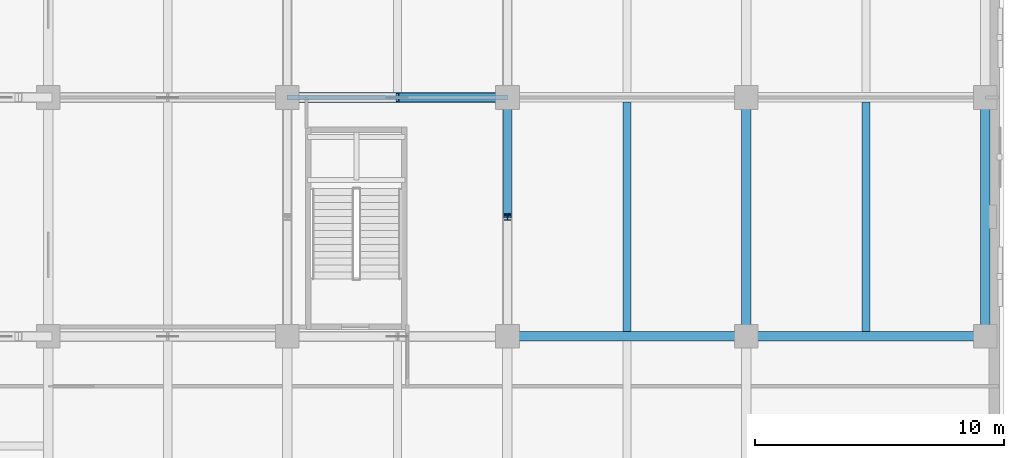
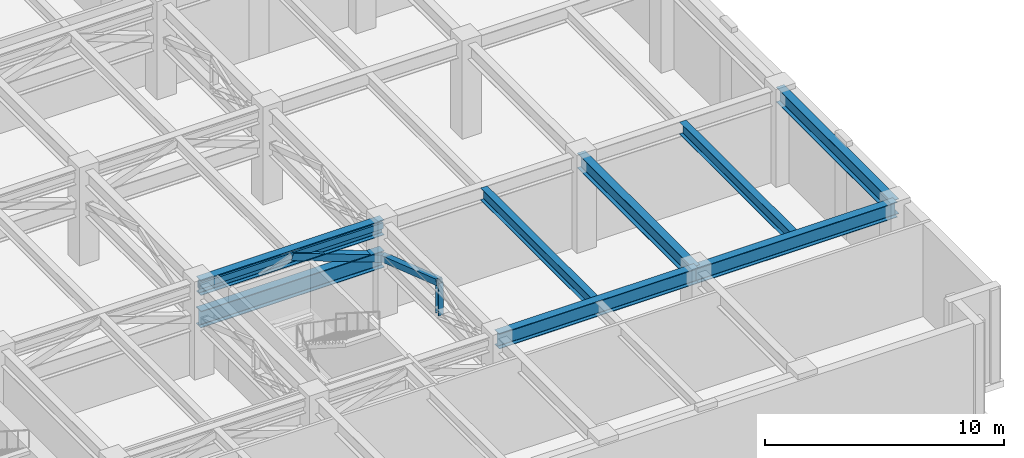
# One storey, part 4 of 21: 8 beams, 4 members.
"""IFC4 building model written with IfcOpenShell, lengths in metres."""

from ifc_helpers import new_model, si_unit, direction, frame, origin, origin_2d, place, context, subcontext, project, spatial, hollow_rectangle, i_section, extrude, material, material_profile, profile_set, type_object, element, save


model = new_model("IFC4")

# Units and contexts
model_context = context("Model", 3, precision=1e-05, world=origin(), true_north=direction((0.0, 1.0)))
body_context = subcontext(model_context, "Body", "Model", "MODEL_VIEW")
ifc_project = project(units=[si_unit("LENGTHUNIT", "METRE"), si_unit("AREAUNIT", "SQUARE_METRE"), si_unit("VOLUMEUNIT", "CUBIC_METRE"), si_unit("PLANEANGLEUNIT", "RADIAN"), si_unit("MASSUNIT", "GRAM", prefix="KILO")], contexts=[model_context])

# Site, building, storey
site_placement = place(None, origin())
site = spatial("IfcSite", under=ifc_project, at=site_placement, CompositionType="ELEMENT")
building_placement = place(site_placement, origin())
building = spatial("IfcBuilding", under=site, at=building_placement, Name="Norrvale University Quadrangle", CompositionType="ELEMENT")
storey_placement = place(building_placement, frame((0.0, 0.0, 194.0)))
storey = spatial("IfcBuildingStorey", under=building, at=storey_placement, Name="L49", CompositionType="ELEMENT", Elevation=194.0)

# Beams
ifc_material = material(Name="Steel 350W", Category="steel")
ifc_material_profile_1 = material_profile(ifc_material, i_section(OverallWidth=0.324951171875, OverallDepth=0.615966796875, WebThickness=0.013916015625, FlangeThickness=0.021484375, FilletRadius=0.01611328125, at=origin_2d()), Name="Steel 350W")
ifc_profile_set_1 = profile_set([ifc_material_profile_1], Name="Steel 350W")
beam_type_1 = type_object("IfcBeamType", Name="Beam Belt W610x174", PredefinedType="BEAM", material=ifc_profile_set_1)
for number, where, z_axis, x_axis, name in (
    (1, (42.449951171875, 9.79052734375, 4.431884765625), (0.0, 1.0, 0.0), (-1.0, 0.0, 0.0), "Beam Belt W610x174 BM-L49-J082"),
    (2, (52.050048828125, 9.79052734375, 4.431884765625), (0.0, 1.0, 0.0), (-1.0, 0.0, 0.0), "Beam Belt W610x174 BM-L49-J085"),
):
    element("IfcBeam", number, at=place(storey_placement, frame(where, z_axis=z_axis, x_axis=x_axis)), inside=storey, type_object=beam_type_1, Name=name, PredefinedType="BEAM", context=body_context, shape_type="SweptSolid", body=[
        extrude(i_section(OverallWidth=0.324951171875, OverallDepth=0.615966796875, WebThickness=0.013916015625, FlangeThickness=0.021484375, FilletRadius=0.01611328125, at=origin_2d()), origin(), (0.0, 0.0, 1.0), 9.218994140625),
    ])
ifc_material_profile_2 = material_profile(ifc_material, i_section(OverallWidth=0.381103515625, OverallDepth=0.77294921875, WebThickness=0.0166015625, FlangeThickness=0.027587890625, FilletRadius=0.02001953125, at=origin_2d()), Name="Steel 350W")
ifc_profile_set_2 = profile_set([ifc_material_profile_2], Name="Steel 350W")
beam_type_2 = type_object("IfcBeamType", Name="Beam Outrig W760x257", PredefinedType="BEAM", material=ifc_profile_set_2)
for number, where, z_axis, x_axis, name in (
    (3, (37.64990234375, 9.60009765625, 4.353515625), (1.0, 0.0, 0.0), (0.0, 1.0, 0.0), "Beam Outrig W760x257 BM-L49-GX007"),
    (4, (47.25, 9.60009765625, 4.353515625), (1.0, 0.0, 0.0), (0.0, 1.0, 0.0), "Beam Outrig W760x257 BM-L49-GX008"),
):
    element("IfcBeam", number, at=place(storey_placement, frame(where, z_axis=z_axis, x_axis=x_axis)), inside=storey, type_object=beam_type_2, Name=name, PredefinedType="BEAM", context=body_context, shape_type="SweptSolid", body=[
        extrude(i_section(OverallWidth=0.381103515625, OverallDepth=0.77294921875, WebThickness=0.0166015625, FlangeThickness=0.027587890625, FilletRadius=0.02001953125, at=origin_2d()), origin(), (0.0, 0.0, 1.0), 9.60009765625),
    ])
beam_1_placement = place(storey_placement, frame((28.800048828125, 19.199951171875, 4.353515625), z_axis=(1.0, 0.0, 0.0), x_axis=(0.0, 1.0, 0.0)))
element("IfcBeam", 5, at=beam_1_placement, inside=storey, type_object=beam_type_2, Name="Beam Outrig W760x257 BM-L49-GX010", PredefinedType="BEAM", context=body_context, shape_type="SweptSolid", body=[
    extrude(i_section(OverallWidth=0.381103515625, OverallDepth=0.77294921875, WebThickness=0.0166015625, FlangeThickness=0.027587890625, FilletRadius=0.02001953125, at=origin_2d()), origin(), (0.0, 0.0, 1.0), 8.849853515625),
])
for number, where, z_axis, x_axis, name in (
    (6, (47.25, 9.60009765625, 4.353515625), (0.0, 1.0, 0.0), (-1.0, 0.0, 0.0), "Beam Outrig W760x257 BM-L49-GY053"),
    (7, (56.85009765625, 9.60009765625, 4.353515625), (0.0, 1.0, 0.0), (-1.0, 0.0, 0.0), "Beam Outrig W760x257 BM-L49-GY056"),
):
    element("IfcBeam", number, at=place(storey_placement, frame(where, z_axis=z_axis, x_axis=x_axis)), inside=storey, type_object=beam_type_2, Name=name, PredefinedType="BEAM", context=body_context, shape_type="SweptSolid", body=[
        extrude(i_section(OverallWidth=0.381103515625, OverallDepth=0.77294921875, WebThickness=0.0166015625, FlangeThickness=0.027587890625, FilletRadius=0.02001953125, at=origin_2d()), origin(), (0.0, 0.0, 1.0), 9.599853515625),
    ])
ifc_material_profile_3 = material_profile(ifc_material, i_section(OverallWidth=0.39990234375, OverallDepth=0.85498046875, WebThickness=0.018310546875, FlangeThickness=0.029296875, FilletRadius=0.02197265625, at=origin_2d()), Name="Steel 350W")
ifc_profile_set_3 = profile_set([ifc_material_profile_3], Name="Steel 350W")
beam_type_3 = type_object("IfcBeamType", Name="Beam Outrig W840x299", PredefinedType="BEAM", material=ifc_profile_set_3)
beam_2_placement = place(storey_placement, frame((28.800048828125, 19.199951171875, 2.75), z_axis=(1.0, 0.0, 0.0), x_axis=(0.0, 1.0, 0.0)))
element("IfcBeam", 8, at=beam_2_placement, inside=storey, type_object=beam_type_3, Name="Outrigger Bottom Chord L49-2.3", PredefinedType="BEAM", context=body_context, shape_type="SweptSolid", body=[
    extrude(i_section(OverallWidth=0.39990234375, OverallDepth=0.85498046875, WebThickness=0.018310546875, FlangeThickness=0.029296875, FilletRadius=0.02197265625, at=origin_2d()), origin(), (0.0, 0.0, 1.0), 8.849853515625),
])

# Members
ifc_material_profile_4 = material_profile(ifc_material, hollow_rectangle(XDim=0.304931640625, YDim=0.304931640625, WallThickness=0.012939453125, at=origin_2d()), Name="Steel 350W")
ifc_profile_set_4 = profile_set([ifc_material_profile_4], Name="Steel 350W")
member_type_1 = type_object("IfcMemberType", Name="Member Belt Diag HSS305", PredefinedType="BRACE", material=ifc_profile_set_4)
member_1_placement = place(storey_placement, frame((37.64990234375, 19.199951171875, 2.75), z_axis=(0.0, -0.946298508087, 0.32329419047), x_axis=(1.0, 0.0, 0.0)))
element("IfcMember", 9, at=member_1_placement, inside=storey, type_object=member_type_1, Name="Belt Truss Brace L49-01B", PredefinedType="BRACE", context=body_context, shape_type="SweptSolid", body=[
    extrude(hollow_rectangle(XDim=0.304931640625, YDim=0.304931640625, WallThickness=0.012939453125, at=origin_2d()), origin(), (0.0, 0.0, 1.0), 5.072509765625),
])
ifc_material_profile_5 = material_profile(ifc_material, hollow_rectangle(XDim=0.202880859375, YDim=0.304931640625, WallThickness=0.012939453125, at=origin_2d()), Name="Steel 350W")
ifc_profile_set_5 = profile_set([ifc_material_profile_5], Name="Steel 350W")
member_type_2 = type_object("IfcMemberType", Name="Member Chord HSS305x203", PredefinedType="CHORD", material=ifc_profile_set_5)
member_2_placement = place(storey_placement, frame((28.800048828125, 19.199951171875, 4.389892578125), z_axis=(1.0, 0.0, 0.0), x_axis=(0.0, 1.0, 0.0)))
element("IfcMember", 10, at=member_2_placement, inside=storey, type_object=member_type_2, Name="Outrigger Top Chord L49-2.3", PredefinedType="CHORD", context=body_context, shape_type="SweptSolid", body=[
    extrude(hollow_rectangle(XDim=0.202880859375, YDim=0.304931640625, WallThickness=0.012939453125, at=origin_2d()), origin(), (0.0, 0.0, 1.0), 8.849853515625),
])
ifc_material_profile_6 = material_profile(ifc_material, hollow_rectangle(XDim=0.35595703125, YDim=0.35595703125, WallThickness=0.01611328125, at=origin_2d()), Name="Steel 350W")
ifc_profile_set_6 = profile_set([ifc_material_profile_6], Name="Steel 350W")
member_type_3 = type_object("IfcMemberType", Name="Member Outrig Diag HSS356", PredefinedType="BRACE", material=ifc_profile_set_6)
member_3_placement = place(storey_placement, frame((37.64990234375, 19.199951171875, 2.75), z_axis=(-0.937674473211, 0.0, 0.347514866285), x_axis=(0.0, -1.0, 0.0)))
element("IfcMember", 11, at=member_3_placement, inside=storey, type_object=member_type_3, Name="Outrigger Truss Diagonal L49-2.3B", PredefinedType="BRACE", context=body_context, shape_type="SweptSolid", body=[
    extrude(hollow_rectangle(XDim=0.35595703125, YDim=0.35595703125, WallThickness=0.01611328125, at=origin_2d()), origin(), (0.0, 0.0, 1.0), 4.718994140625),
])
ifc_material_profile_7 = material_profile(ifc_material, i_section(OverallWidth=0.25390625, OverallDepth=0.2529296875, WebThickness=0.008544921875, FlangeThickness=0.01416015625, FilletRadius=0.011962890625, at=origin_2d()), Name="Steel 350W")
ifc_profile_set_7 = profile_set([ifc_material_profile_7], Name="Steel 350W")
member_type_4 = type_object("IfcMemberType", Name="Member Post W250x73", PredefinedType="POST", material=ifc_profile_set_7)
member_4_placement = place(storey_placement, frame((37.64990234375, 14.39990234375, 2.75), z_axis=(0.0, 0.0, 1.0), x_axis=(1.0, 0.0, 0.0)))
element("IfcMember", 12, at=member_4_placement, inside=storey, type_object=member_type_4, Name="Belt Truss Post L49-01", PredefinedType="POST", context=body_context, shape_type="SweptSolid", body=[
    extrude(i_section(OverallWidth=0.25390625, OverallDepth=0.2529296875, WebThickness=0.008544921875, FlangeThickness=0.01416015625, FilletRadius=0.011962890625, at=origin_2d()), origin(), (0.0, 0.0, 1.0), 1.639892578125),
])

save(model, "model.ifc")
